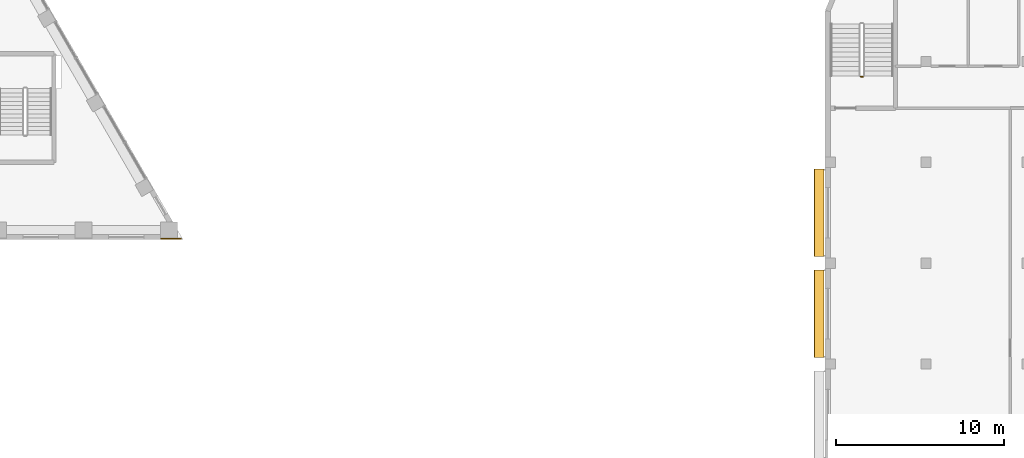
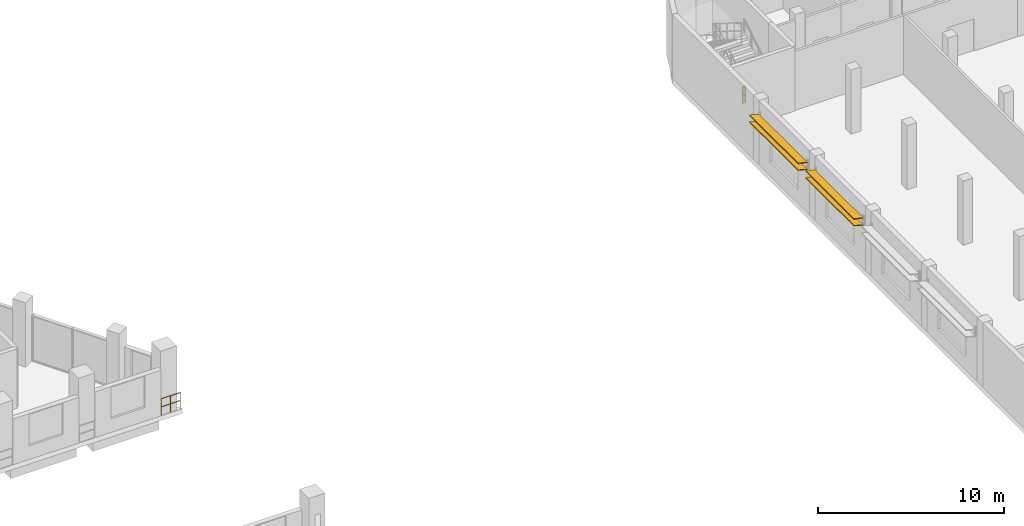
# One storey, part 44 of 47: 4 shading devices, 2 railings.
"""IFC4 building model written with IfcOpenShell, lengths in metres."""

from ifc_helpers import new_model, si_unit, direction, frame, origin, origin_2d, place, context, subcontext, project, spatial, rectangle, circle, extrude, material, material_profile, profile_set, type_object, element, save


model = new_model("IFC4")

# Units and contexts
model_context = context("Model", 3, precision=1e-05, world=origin(), true_north=direction((0.0, 1.0)))
body_context = subcontext(model_context, "Body", "Model", "MODEL_VIEW")
ifc_project = project(units=[si_unit("LENGTHUNIT", "METRE"), si_unit("AREAUNIT", "SQUARE_METRE"), si_unit("VOLUMEUNIT", "CUBIC_METRE"), si_unit("PLANEANGLEUNIT", "RADIAN"), si_unit("MASSUNIT", "GRAM", prefix="KILO")], contexts=[model_context])

# Site, building, storey
site_placement = place(None, origin())
site = spatial("IfcSite", under=ifc_project, at=site_placement, CompositionType="ELEMENT")
building_placement = place(site_placement, origin())
building = spatial("IfcBuilding", under=site, at=building_placement, Name="Nakaniwa Court", CompositionType="ELEMENT")
storey_placement = place(building_placement, frame((0.0, 0.0, 15.60009765625)))
storey = spatial("IfcBuildingStorey", under=building, at=storey_placement, Name="L03", CompositionType="ELEMENT", Elevation=15.60009765625)

# Railing
ifc_material_1 = material(Name="Black powder-coated steel flat bar balustrade S275", Category="steel")
railing_type_1 = type_object("IfcRailingType", Name="Hall guard 1100", PredefinedType="GUARDRAIL", material=ifc_material_1)
railing_1_placement = place(storey_placement, frame((154.25, 97.090087890625, 0.0)))
element("IfcRailing", 1, at=railing_1_placement, inside=storey, type_object=railing_type_1, Name="L03 ST-H2 stair guard 4", PredefinedType="GUARDRAIL", context=body_context, shape_type="SweptSolid", body=[
    extrude(circle(Radius=0.02392578125, at=origin_2d()), frame((0.0, 0.0, 1.076171875), z_axis=(-1.0, 0.0, 0.0), x_axis=(0.0, -1.0, 0.0)), (0.0, 0.0, 1.0), 0.14990234375),
    extrude(circle(Radius=0.02392578125, at=origin_2d()), frame((0.0, 0.0, 0.550048828125), z_axis=(-1.0, 0.0, 0.0), x_axis=(0.0, -1.0, 0.0)), (0.0, 0.0, 1.0), 0.14990234375),
    extrude(circle(Radius=0.02099609375, at=origin_2d()), origin(), (0.0, 0.0, 1.0), 1.052001953125),
    extrude(circle(Radius=0.02099609375, at=origin_2d()), frame((-0.14990234375, 0.0, 0.0)), (0.0, 0.0, 1.0), 1.052001953125),
])

# Shading devices
ifc_material_2 = material(Name="Perforated charcoal ceramic louvre blade")
ifc_material_profile = material_profile(ifc_material_2, rectangle(XDim=0.60009765625, YDim=0.050048828125, at=origin_2d()), Name="Hall perforated ceramic louvre blade")
ifc_profile_set = profile_set([ifc_material_profile], Name="Perforated charcoal ceramic louvre blade")
shading_device_type = type_object("IfcShadingDeviceType", Name="Hall perforated ceramic louvre blade", PredefinedType="JALOUSIE", material=ifc_profile_set)
for number, where, z_axis, x_axis, name in (
    (2, (151.643798828125, 80.39990234375, 3.0), (0.0, 1.0, 0.0), (-0.965925826289, 0.0, 0.258819045103), "Louvre blade L03 005.1"),
    (3, (151.643798828125, 80.39990234375, 3.449951171875), (0.0, 1.0, 0.0), (-0.965925826289, 0.0, 0.258819045103), "Louvre blade L03 005.2"),
    (4, (151.643798828125, 86.39990234375, 3.0), (0.0, 1.0, 0.0), (-0.965925826289, 0.0, 0.258819045103), "Louvre blade L03 006.1"),
    (5, (151.643798828125, 86.39990234375, 3.449951171875), (0.0, 1.0, 0.0), (-0.965925826289, 0.0, 0.258819045103), "Louvre blade L03 006.2"),
):
    element("IfcShadingDevice", number, at=place(storey_placement, frame(where, z_axis=z_axis, x_axis=x_axis)), inside=storey, type_object=shading_device_type, Name=name, PredefinedType="JALOUSIE", context=body_context, shape_type="SweptSolid", body=[
        extrude(rectangle(XDim=0.60009765625, YDim=0.050048828125, at=origin_2d()), origin(), (0.0, 0.0, 1.0), 5.2001953125),
    ])

# Railing
ifc_material_3 = material(Name="Black powder coated steel guard", Category="steel")
railing_type_2 = type_object("IfcRailingType", Name="Stair guard 1100", PredefinedType="GUARDRAIL", material=ifc_material_3)
railing_2_placement = place(storey_placement, frame((113.702880859375, 87.449951171875, 0.0)))
element("IfcRailing", 6, at=railing_2_placement, inside=storey, type_object=railing_type_2, Name="GUARD GD-L03-051", PredefinedType="GUARDRAIL", context=body_context, shape_type="SweptSolid", body=[
    extrude(circle(Radius=0.02392578125, at=origin_2d()), frame((0.0, 0.0, 1.076171875), z_axis=(-1.0, 0.0, 0.0), x_axis=(0.0, -1.0, 0.0)), (0.0, 0.0, 1.0), 1.18896484375),
    extrude(circle(Radius=0.02392578125, at=origin_2d()), frame((0.0, 0.0, 0.550048828125), z_axis=(-1.0, 0.0, 0.0), x_axis=(0.0, -1.0, 0.0)), (0.0, 0.0, 1.0), 1.18896484375),
    extrude(circle(Radius=0.02099609375, at=origin_2d()), origin(), (0.0, 0.0, 1.0), 1.052001953125),
    extrude(circle(Radius=0.02099609375, at=origin_2d()), frame((-0.594482421875, 0.0, 0.0)), (0.0, 0.0, 1.0), 1.052001953125),
    extrude(circle(Radius=0.02099609375, at=origin_2d()), frame((-1.18896484375, 0.0, 0.0)), (0.0, 0.0, 1.0), 1.052001953125),
])

save(model, "model.ifc")
